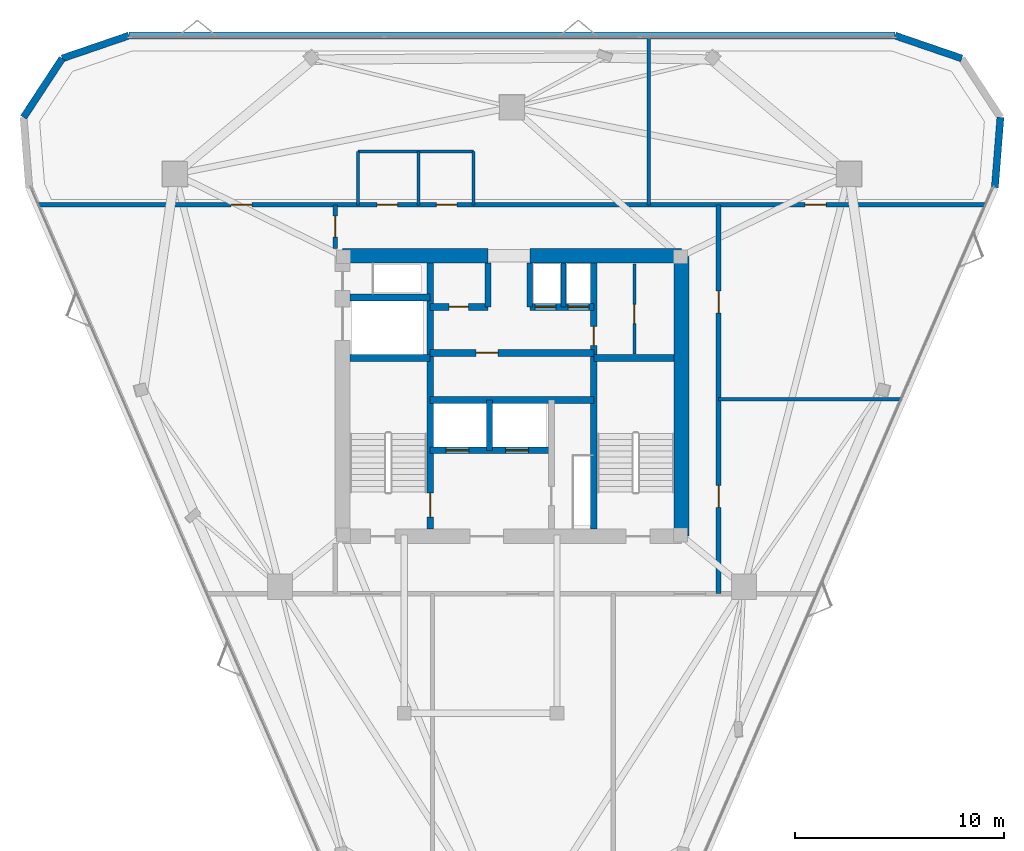
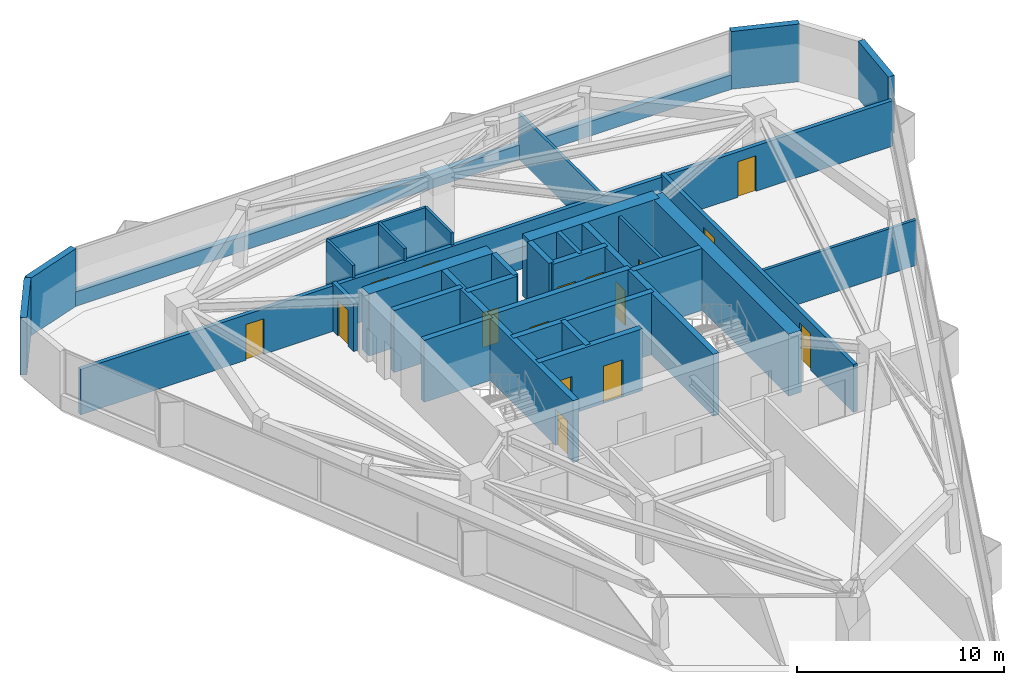
# One storey, part 9 of 12: 32 walls, 16 doors, 16 openings.
"""IFC4 building model written with IfcOpenShell, lengths in metres."""

from ifc_helpers import new_model, si_unit, direction, frame, frame_2d, origin, place, context, subcontext, project, spatial, rectangle, extrude, material, layer, layer_set, type_object, element, fill, save


model = new_model("IFC4")

# Units and contexts
model_context = context("Model", 3, precision=1e-05, world=origin(), true_north=direction((0.0, 1.0)))
body_context = subcontext(model_context, "Body", "Model", "MODEL_VIEW")
ifc_project = project(units=[si_unit("LENGTHUNIT", "METRE"), si_unit("AREAUNIT", "SQUARE_METRE"), si_unit("VOLUMEUNIT", "CUBIC_METRE"), si_unit("PLANEANGLEUNIT", "RADIAN"), si_unit("MASSUNIT", "GRAM", prefix="KILO")], contexts=[model_context])

# Site, building, storey
site_placement = place(None, origin())
site = spatial("IfcSite", under=ifc_project, at=site_placement, CompositionType="ELEMENT")
building_placement = place(site_placement, origin())
building = spatial("IfcBuilding", under=site, at=building_placement, Name="Talyreon Biosciences Tower", CompositionType="ELEMENT")
storey_placement = place(building_placement, frame((0.0, 0.0, 246.199951171875)))
storey = spatial("IfcBuildingStorey", under=building, at=storey_placement, Name="L65", CompositionType="ELEMENT", Elevation=246.199951171875)

# Walls
ifc_material_1 = material(Name="Concrete C50/60", Category="concrete")
ifc_layer_1 = layer(ifc_material_1, 0.219970703125)
ifc_layer_set_1 = layer_set([ifc_layer_1], Name="Concrete C50/60")
wall_type_1 = type_object("IfcWallType", Name="CoreShearWall_220", PredefinedType="SHEAR", material=ifc_layer_set_1)
wall_1_placement = place(storey_placement, frame((68.4599609375, 72.25, 0.0), z_axis=(0.0, 0.0, 1.0), x_axis=(0.0, 1.0, 0.0)))
element("IfcWall", 1, at=wall_1_placement, inside=storey, type_object=wall_type_1, Name="L65 Core Shaft Wall SWPHD", PredefinedType="SHEAR", context=body_context, shape_type="SweptSolid", body=[
    extrude(rectangle(XDim=2.10009765625, YDim=0.219970703125, at=frame_2d((1.050048828125, 0.0))), origin(), (0.0, 0.0, 1.0), 3.650146484375),
])
ifc_layer_2 = layer(ifc_material_1, 0.280029296875)
ifc_layer_set_2 = layer_set([ifc_layer_2], Name="Concrete C50/60")
wall_type_2 = type_object("IfcWallType", Name="CoreShearWall_280", PredefinedType="SHEAR", material=ifc_layer_set_2)
wall_2_placement = place(storey_placement, frame((64.919921875, 65.39990234375, 0.0), z_axis=(0.0, 0.0, 1.0), x_axis=(0.0, 1.0, 0.0)))
element("IfcWall", 2, at=wall_2_placement, inside=storey, type_object=wall_type_2, Name="L65 Core Shaft Wall SWSHD1", PredefinedType="SHEAR", context=body_context, shape_type="SweptSolid", body=[
    extrude(rectangle(XDim=2.400146484375, YDim=0.280029296875, at=frame_2d((1.2001953125, 0.0))), origin(), (0.0, 0.0, 1.0), 3.650146484375),
])
for number, where, z_axis, x_axis, name in (
    (3, (64.85009765625, 72.25, 0.0), (0.0, 0.0, 1.0), (0.0, 1.0, 0.0), "L65 Core Shaft Wall SWTHW"),
    (4, (66.85009765625, 72.25, 0.0), (0.0, 0.0, 1.0), (0.0, 1.0, 0.0), "L65 Core Shaft Wall SWTHE"),
):
    element("IfcWall", number, at=place(storey_placement, frame(where, z_axis=z_axis, x_axis=x_axis)), inside=storey, type_object=wall_type_2, Name=name, PredefinedType="SHEAR", context=body_context, shape_type="SweptSolid", body=[
        extrude(rectangle(XDim=2.10009765625, YDim=0.280029296875, at=frame_2d((1.050048828125, 0.0))), origin(), (0.0, 0.0, 1.0), 3.650146484375),
    ])

# Wall, opening, door
ifc_layer_3 = layer(ifc_material_1, 0.320068359375)
ifc_layer_set_3 = layer_set([ifc_layer_3], Name="Concrete C50/60")
wall_type_3 = type_object("IfcWallType", Name="CoreShearWall_320", PredefinedType="SHEAR", material=ifc_layer_set_3)
wall_3_placement = place(storey_placement, frame((62.090087890625, 61.64990234375, 0.0), z_axis=(0.0, 0.0, 1.0), x_axis=(0.0, 1.0, 0.0)))
wall_3 = element("IfcWall", 5, at=wall_3_placement, inside=storey, type_object=wall_type_3, Name="L65 Core Shaft Wall SW1E", PredefinedType="SHEAR", context=body_context, shape_type="SweptSolid", body=[
    extrude(rectangle(XDim=12.7001953125, YDim=0.320068359375, at=frame_2d((6.35009765625, 0.0))), origin(), (0.0, 0.0, 1.0), 3.650146484375),
])
opening_1_placement = place(wall_3_placement, frame((0.550048828125, 0.0, 0.0)))
opening_1 = element("IfcOpeningElement", 6, at=opening_1_placement, cuts=wall_3, Name="Opening DR-L65-FF-ST1", PredefinedType="OPENING", context=body_context, shape_type="SweptSolid", body=[
    extrude(rectangle(XDim=1.14990234375, YDim=2.14990234375, at=frame_2d((0.574951171875, 1.074951171875))), frame((0.0, 0.169921875, 0.0), z_axis=(0.0, -1.0, 0.0), x_axis=(1.0, 0.0, 0.0)), (0.0, 0.0, 1.0), 0.340087890625),
])
ifc_material_2 = material(Name="Painted steel fire door", Category="steel")
door_type_1 = type_object("IfcDoorType", Name="StairShaftFireDoor_1150x2150", OperationType="NOTDEFINED", PredefinedType="DOOR", material=ifc_material_2)
door_1_placement = place(opening_1_placement, origin())
door_1 = element("IfcDoor", 7, at=door_1_placement, inside=storey, type_object=door_type_1, Name="L65 Core Door DR-L65-FF-ST1", OperationType="SINGLE_SWING_LEFT", OverallHeight=2.14990234375, OverallWidth=1.14990234375, PredefinedType="DOOR", context=body_context, shape_type="SweptSolid", body=[
    extrude(rectangle(XDim=1.14990234375, YDim=2.14990234375, at=frame_2d((0.574951171875, 1.074951171875))), frame((0.0, 0.02490234375, 0.0), z_axis=(0.0, -1.0, 0.0), x_axis=(1.0, 0.0, 0.0)), (0.0, 0.0, 1.0), 0.050048828125),
])
fill(opening_1, door_1)

wall_4_placement = place(storey_placement, frame((69.909912109375, 61.64990234375, 0.0), z_axis=(0.0, 0.0, 1.0), x_axis=(0.0, 1.0, 0.0)))
wall_4 = element("IfcWall", 8, at=wall_4_placement, inside=storey, type_object=wall_type_3, Name="L65 Core Shaft Wall SW2W", PredefinedType="SHEAR", context=body_context, shape_type="SweptSolid", body=[
    extrude(rectangle(XDim=12.7001953125, YDim=0.320068359375, at=frame_2d((6.35009765625, 0.0))), origin(), (0.0, 0.0, 1.0), 3.650146484375),
])
opening_2_placement = place(wall_4_placement, frame((8.75, 0.0, 0.0)))
opening_2 = element("IfcOpeningElement", 9, at=opening_2_placement, cuts=wall_4, Name="Opening DR-L65-CSRV", PredefinedType="OPENING", context=body_context, shape_type="SweptSolid", body=[
    extrude(rectangle(XDim=0.919921875, YDim=2.050048828125, at=frame_2d((0.4599609375, 1.02490234375))), frame((0.0, 0.169921875, 0.0), z_axis=(0.0, -1.0, 0.0), x_axis=(1.0, 0.0, 0.0)), (0.0, 0.0, 1.0), 0.340087890625),
])
ifc_material_3 = material(Name="Painted steel fire-rated riser door", Category="steel")
door_type_2 = type_object("IfcDoorType", Name="RiserPlantAccessDoor_920x2050", OperationType="NOTDEFINED", PredefinedType="DOOR", material=ifc_material_3)
door_2_placement = place(opening_2_placement, origin())
door_2 = element("IfcDoor", 10, at=door_2_placement, inside=storey, type_object=door_type_2, Name="L65 Core Door DR-L65-CSRV", OperationType="SINGLE_SWING_RIGHT", OverallHeight=2.050048828125, OverallWidth=0.919921875, PredefinedType="DOOR", context=body_context, shape_type="SweptSolid", body=[
    extrude(rectangle(XDim=0.919921875, YDim=2.050048828125, at=frame_2d((0.4599609375, 1.02490234375))), frame((0.0, 0.02490234375, 0.0), z_axis=(0.0, -1.0, 0.0), x_axis=(1.0, 0.0, 0.0)), (0.0, 0.0, 1.0), 0.050048828125),
])
fill(opening_2, door_2)

# Walls
for number, where, z_axis, x_axis, name in (
    (11, (58.25, 69.81005859375, 0.0), (0.0, 0.0, 1.0), (1.0, 0.0, 0.0), "L65 Core Shaft Wall SW1N"),
    (12, (69.909912109375, 69.81005859375, 0.0), (0.0, 0.0, 1.0), (1.0, 0.0, 0.0), "L65 Core Shaft Wall SW2N"),
    (13, (58.25, 72.699951171875, 0.0), (0.0, 0.0, 1.0), (1.0, 0.0, 0.0), "L65 Core Shaft Wall SWGLN"),
):
    element("IfcWall", number, at=place(storey_placement, frame(where, z_axis=z_axis, x_axis=x_axis)), inside=storey, type_object=wall_type_3, Name=name, PredefinedType="SHEAR", context=body_context, shape_type="SweptSolid", body=[
        extrude(rectangle(XDim=3.840087890625, YDim=0.320068359375, at=frame_2d((1.919921875, 0.0))), origin(), (0.0, 0.0, 1.0), 3.650146484375),
    ])
wall_5_placement = place(storey_placement, frame((62.090087890625, 67.800048828125, 0.0), z_axis=(0.0, 0.0, 1.0), x_axis=(1.0, 0.0, 0.0)))
element("IfcWall", 14, at=wall_5_placement, inside=storey, type_object=wall_type_3, Name="L65 Core Shaft Wall SWSHM", PredefinedType="SHEAR", context=body_context, shape_type="SweptSolid", body=[
    extrude(rectangle(XDim=7.81982421875, YDim=0.320068359375, at=frame_2d((3.909912109375, 0.0))), origin(), (0.0, 0.0, 1.0), 3.650146484375),
])

# Wall, opening, door
wall_6_placement = place(storey_placement, frame((62.090087890625, 70.050048828125, 0.0), z_axis=(0.0, 0.0, 1.0), x_axis=(1.0, 0.0, 0.0)))
wall_6 = element("IfcWall", 15, at=wall_6_placement, inside=storey, type_object=wall_type_3, Name="L65 Core Shaft Wall SWSPN", PredefinedType="SHEAR", context=body_context, shape_type="SweptSolid", body=[
    extrude(rectangle(XDim=7.81982421875, YDim=0.320068359375, at=frame_2d((3.909912109375, 0.0))), origin(), (0.0, 0.0, 1.0), 3.650146484375),
])
opening_3_placement = place(wall_6_placement, frame((2.199951171875, 0.0, 0.0)))
opening_3 = element("IfcOpeningElement", 16, at=opening_3_placement, cuts=wall_6, Name="Opening DR-L65-PLPMFREE", PredefinedType="OPENING", context=body_context, shape_type="SweptSolid", body=[
    extrude(rectangle(XDim=1.050048828125, YDim=2.14990234375, at=frame_2d((0.52490234375, 1.074951171875))), frame((0.0, 0.169921875, 0.0), z_axis=(0.0, -1.0, 0.0), x_axis=(1.0, 0.0, 0.0)), (0.0, 0.0, 1.0), 0.340087890625),
])
ifc_material_4 = material(Name="Acoustic timber-core laboratory door", Category="wood")
door_type_3 = type_object("IfcDoorType", Name="DryLabSingleDoor_1050x2150", OperationType="NOTDEFINED", PredefinedType="DOOR", material=ifc_material_4)
door_3_placement = place(opening_3_placement, origin())
door_3 = element("IfcDoor", 17, at=door_3_placement, inside=storey, type_object=door_type_3, Name="L65 Core Door DR-L65-PLPMFREE", OperationType="SINGLE_SWING_LEFT", OverallHeight=2.14990234375, OverallWidth=1.050048828125, PredefinedType="DOOR", context=body_context, shape_type="SweptSolid", body=[
    extrude(rectangle(XDim=1.050048828125, YDim=2.14990234375, at=frame_2d((0.52490234375, 1.074951171875))), frame((0.0, 0.02490234375, 0.0), z_axis=(0.0, -1.0, 0.0), x_axis=(1.0, 0.0, 0.0)), (0.0, 0.0, 1.0), 0.050048828125),
])
fill(opening_3, door_3)

wall_7_placement = place(storey_placement, frame((62.090087890625, 72.25, 0.0), z_axis=(0.0, 0.0, 1.0), x_axis=(1.0, 0.0, 0.0)))
wall_7 = element("IfcWall", 18, at=wall_7_placement, inside=storey, type_object=wall_type_3, Name="L65 Core Shaft Wall SWNPW", PredefinedType="SHEAR", context=body_context, shape_type="SweptSolid", body=[
    extrude(rectangle(XDim=2.760009765625, YDim=0.320068359375, at=frame_2d((1.3798828125, 0.0))), origin(), (0.0, 0.0, 1.0), 3.650146484375),
])
opening_4_placement = place(wall_7_placement, frame((0.89990234375, 0.0, 0.0)))
opening_4 = element("IfcOpeningElement", 19, at=opening_4_placement, cuts=wall_7, Name="Opening DR-L65-PM2FREE", PredefinedType="OPENING", context=body_context, shape_type="SweptSolid", body=[
    extrude(rectangle(XDim=0.919921875, YDim=2.050048828125, at=frame_2d((0.4599609375, 1.02490234375))), frame((0.0, 0.169921875, 0.0), z_axis=(0.0, -1.0, 0.0), x_axis=(1.0, 0.0, 0.0)), (0.0, 0.0, 1.0), 0.340087890625),
])
door_4_placement = place(opening_4_placement, origin())
door_4 = element("IfcDoor", 20, at=door_4_placement, inside=storey, type_object=door_type_2, Name="L65 Core Door DR-L65-PM2FREE", OperationType="SINGLE_SWING_RIGHT", OverallHeight=2.050048828125, OverallWidth=0.919921875, PredefinedType="DOOR", context=body_context, shape_type="SweptSolid", body=[
    extrude(rectangle(XDim=0.919921875, YDim=2.050048828125, at=frame_2d((0.4599609375, 1.02490234375))), frame((0.0, 0.02490234375, 0.0), z_axis=(0.0, -1.0, 0.0), x_axis=(1.0, 0.0, 0.0)), (0.0, 0.0, 1.0), 0.050048828125),
])
fill(opening_4, door_4)

# Wall, openings, doors
wall_8_placement = place(storey_placement, frame((66.85009765625, 72.25, 0.0), z_axis=(0.0, 0.0, 1.0), x_axis=(1.0, 0.0, 0.0)))
wall_8 = element("IfcWall", 21, at=wall_8_placement, inside=storey, type_object=wall_type_3, Name="L65 Core Shaft Wall SWNPE", PredefinedType="SHEAR", context=body_context, shape_type="SweptSolid", body=[
    extrude(rectangle(XDim=3.059814453125, YDim=0.320068359375, at=frame_2d((1.52978515625, 0.0))), origin(), (0.0, 0.0, 1.0), 3.650146484375),
])
opening_5_placement = place(wall_8_placement, frame((0.25, 0.0, 0.0)))
opening_5 = element("IfcOpeningElement", 22, at=opening_5_placement, cuts=wall_8, Name="Opening LD-L65-PH1", PredefinedType="OPENING", context=body_context, shape_type="SweptSolid", body=[
    extrude(rectangle(XDim=1.0, YDim=2.199951171875, at=frame_2d((0.5, 1.10009765625))), frame((0.0, 0.169921875, 0.0), z_axis=(0.0, -1.0, 0.0), x_axis=(1.0, 0.0, 0.0)), (0.0, 0.0, 1.0), 0.340087890625),
])
opening_6_placement = place(wall_8_placement, frame((1.820068359375, 0.0, 0.0)))
opening_6 = element("IfcOpeningElement", 23, at=opening_6_placement, cuts=wall_8, Name="Opening LD-L65-PH2", PredefinedType="OPENING", context=body_context, shape_type="SweptSolid", body=[
    extrude(rectangle(XDim=1.0, YDim=2.199951171875, at=frame_2d((0.5, 1.10009765625))), frame((0.0, 0.169921875, 0.0), z_axis=(0.0, -1.0, 0.0), x_axis=(1.0, 0.0, 0.0)), (0.0, 0.0, 1.0), 0.340087890625),
])
ifc_material_5 = material(Name="Brushed stainless-steel lift landing door", Category="steel")
door_type_4 = type_object("IfcDoorType", Name="LiftSlidingLandingDoor_1100x2200", OperationType="SLIDING_TO_LEFT", PredefinedType="DOOR", material=ifc_material_5)
door_5_placement = place(opening_5_placement, origin())
door_5 = element("IfcDoor", 24, at=door_5_placement, inside=storey, type_object=door_type_4, Name="L65 Core Door LD-L65-PH1", OperationType="SLIDING_TO_LEFT", OverallHeight=2.199951171875, OverallWidth=1.0, PredefinedType="DOOR", context=body_context, shape_type="SweptSolid", body=[
    extrude(rectangle(XDim=1.0, YDim=2.199951171875, at=frame_2d((0.5, 1.10009765625))), frame((0.0, 0.02490234375, 0.0), z_axis=(0.0, -1.0, 0.0), x_axis=(1.0, 0.0, 0.0)), (0.0, 0.0, 1.0), 0.050048828125),
])
fill(opening_5, door_5)
door_6_placement = place(opening_6_placement, origin())
door_6 = element("IfcDoor", 25, at=door_6_placement, inside=storey, type_object=door_type_4, Name="L65 Core Door LD-L65-PH2", OperationType="SLIDING_TO_LEFT", OverallHeight=2.199951171875, OverallWidth=1.0, PredefinedType="DOOR", context=body_context, shape_type="SweptSolid", body=[
    extrude(rectangle(XDim=1.0, YDim=2.199951171875, at=frame_2d((0.5, 1.10009765625))), frame((0.0, 0.02490234375, 0.0), z_axis=(0.0, -1.0, 0.0), x_axis=(1.0, 0.0, 0.0)), (0.0, 0.0, 1.0), 0.050048828125),
])
fill(opening_6, door_6)

wall_9_placement = place(storey_placement, frame((62.090087890625, 65.39990234375, 0.0), z_axis=(0.0, 0.0, 1.0), x_axis=(1.0, 0.0, 0.0)))
wall_9 = element("IfcWall", 26, at=wall_9_placement, inside=storey, type_object=wall_type_3, Name="L65 Core Shaft Wall SWFFN", PredefinedType="SHEAR", context=body_context, shape_type="SweptSolid", body=[
    extrude(rectangle(XDim=5.789794921875, YDim=0.320068359375, at=frame_2d((2.89501953125, 0.0))), origin(), (0.0, 0.0, 1.0), 3.650146484375),
])
opening_7_placement = place(wall_9_placement, frame((0.75, 0.0, 0.0)))
opening_7 = element("IfcOpeningElement", 27, at=opening_7_placement, cuts=wall_9, Name="Opening LD-L65-FL1", PredefinedType="OPENING", context=body_context, shape_type="SweptSolid", body=[
    extrude(rectangle(XDim=1.10009765625, YDim=2.199951171875, at=frame_2d((0.550048828125, 1.10009765625))), frame((0.0, 0.169921875, 0.0), z_axis=(0.0, -1.0, 0.0), x_axis=(1.0, 0.0, 0.0)), (0.0, 0.0, 1.0), 0.340087890625),
])
opening_8_placement = place(wall_9_placement, frame((3.60009765625, 0.0, 0.0)))
opening_8 = element("IfcOpeningElement", 28, at=opening_8_placement, cuts=wall_9, Name="Opening LD-L65-FL2", PredefinedType="OPENING", context=body_context, shape_type="SweptSolid", body=[
    extrude(rectangle(XDim=1.10009765625, YDim=2.199951171875, at=frame_2d((0.550048828125, 1.10009765625))), frame((0.0, 0.169921875, 0.0), z_axis=(0.0, -1.0, 0.0), x_axis=(1.0, 0.0, 0.0)), (0.0, 0.0, 1.0), 0.340087890625),
])
door_7_placement = place(opening_7_placement, origin())
door_7 = element("IfcDoor", 29, at=door_7_placement, inside=storey, type_object=door_type_4, Name="L65 Core Door LD-L65-FL1", OperationType="SLIDING_TO_LEFT", OverallHeight=2.199951171875, OverallWidth=1.10009765625, PredefinedType="DOOR", context=body_context, shape_type="SweptSolid", body=[
    extrude(rectangle(XDim=1.10009765625, YDim=2.199951171875, at=frame_2d((0.550048828125, 1.10009765625))), frame((0.0, 0.02490234375, 0.0), z_axis=(0.0, -1.0, 0.0), x_axis=(1.0, 0.0, 0.0)), (0.0, 0.0, 1.0), 0.050048828125),
])
fill(opening_7, door_7)
door_8_placement = place(opening_8_placement, origin())
door_8 = element("IfcDoor", 30, at=door_8_placement, inside=storey, type_object=door_type_4, Name="L65 Core Door LD-L65-FL2", OperationType="SLIDING_TO_LEFT", OverallHeight=2.199951171875, OverallWidth=1.10009765625, PredefinedType="DOOR", context=body_context, shape_type="SweptSolid", body=[
    extrude(rectangle(XDim=1.10009765625, YDim=2.199951171875, at=frame_2d((0.550048828125, 1.10009765625))), frame((0.0, 0.02490234375, 0.0), z_axis=(0.0, -1.0, 0.0), x_axis=(1.0, 0.0, 0.0)), (0.0, 0.0, 1.0), 0.050048828125),
])
fill(opening_8, door_8)

# Walls
ifc_layer_4 = layer(ifc_material_1, 0.699951171875)
ifc_layer_set_4 = layer_set([ifc_layer_4], Name="Concrete C50/60")
wall_type_4 = type_object("IfcWallType", Name="CoreShearWall_700", PredefinedType="SHEAR", material=ifc_layer_set_4)
wall_10_placement = place(storey_placement, frame((74.10009765625, 61.300048828125, 0.0), z_axis=(0.0, 0.0, 1.0), x_axis=(0.0, 1.0, 0.0)))
element("IfcWall", 31, at=wall_10_placement, inside=storey, type_object=wall_type_4, Name="L65 Core Shear Wall E", PredefinedType="SHEAR", context=body_context, shape_type="SweptSolid", body=[
    extrude(rectangle(XDim=13.39990234375, YDim=0.699951171875, at=frame_2d((6.699951171875, 0.0))), origin(), (0.0, 0.0, 1.0), 3.650146484375),
])
wall_11_placement = place(storey_placement, frame((74.10009765625, 74.699951171875, 0.0), z_axis=(0.0, 0.0, 1.0), x_axis=(-1.0, 0.0, 0.0)))
element("IfcWall", 32, at=wall_11_placement, inside=storey, type_object=wall_type_4, Name="L65 Core Shear Wall NE", PredefinedType="SHEAR", context=body_context, shape_type="SweptSolid", body=[
    extrude(rectangle(XDim=7.25, YDim=0.699951171875, at=frame_2d((3.625, 0.0))), origin(), (0.0, 0.0, 1.0), 3.650146484375),
])
wall_12_placement = place(storey_placement, frame((64.85009765625, 74.699951171875, 0.0), z_axis=(0.0, 0.0, 1.0), x_axis=(-1.0, 0.0, 0.0)))
element("IfcWall", 33, at=wall_12_placement, inside=storey, type_object=wall_type_4, Name="L65 Core Shear Wall NW", PredefinedType="SHEAR", context=body_context, shape_type="SweptSolid", body=[
    extrude(rectangle(XDim=6.9501953125, YDim=0.699951171875, at=frame_2d((3.47509765625, 0.0))), origin(), (0.0, 0.0, 1.0), 3.650146484375),
])

# Wall, openings, doors
ifc_material_6 = material(Name="Gypsum fireboard acoustic stud", Category="gypsum")
ifc_layer_5 = layer(ifc_material_6, 0.219970703125)
ifc_layer_set_5 = layer_set([ifc_layer_5], Name="Gypsum fireboard acoustic stud")
wall_type_5 = type_object("IfcWallType", Name="CorridorRatedPartition_220", PredefinedType="PARTITIONING", material=ifc_layer_set_5)
wall_13_placement = place(storey_placement, frame((43.372802734375, 77.1298828125, 0.0), z_axis=(0.0, 0.0, 1.0), x_axis=(1.0, 0.0, 0.0)))
wall_13 = element("IfcWall", 34, at=wall_13_placement, inside=storey, type_object=wall_type_5, Name="L65 Interior Wall IW-L65-COR-N", PredefinedType="PARTITIONING", context=body_context, shape_type="SweptSolid", body=[
    extrude(rectangle(XDim=45.25439453125, YDim=0.219970703125, at=frame_2d((22.627197265625, 0.0))), origin(), (0.0, 0.0, 1.0), 2.679931640625),
])
opening_9_placement = place(wall_13_placement, frame((16.18701171875, 0.0, 0.0)))
opening_9 = element("IfcOpeningElement", 35, at=opening_9_placement, cuts=wall_13, Name="Opening DR-L65-WC", PredefinedType="OPENING", context=body_context, shape_type="SweptSolid", body=[
    extrude(rectangle(XDim=0.97998046875, YDim=2.10009765625, at=frame_2d((0.489990234375, 1.050048828125))), frame((0.0, 0.119873046875, 0.0), z_axis=(0.0, -1.0, 0.0), x_axis=(1.0, 0.0, 0.0)), (0.0, 0.0, 1.0), 0.239990234375),
])
opening_10_placement = place(wall_13_placement, frame((19.011962890625, 0.0, 0.0)))
opening_10 = element("IfcOpeningElement", 36, at=opening_10_placement, cuts=wall_13, Name="Opening DR-L65-AWC", PredefinedType="OPENING", context=body_context, shape_type="SweptSolid", body=[
    extrude(rectangle(XDim=0.97998046875, YDim=2.10009765625, at=frame_2d((0.489990234375, 1.050048828125))), frame((0.0, 0.119873046875, 0.0), z_axis=(0.0, -1.0, 0.0), x_axis=(1.0, 0.0, 0.0)), (0.0, 0.0, 1.0), 0.239990234375),
])
opening_11_placement = place(wall_13_placement, frame((9.199951171875, 0.0, 0.0)))
opening_11 = element("IfcOpeningElement", 37, at=opening_11_placement, cuts=wall_13, Name="Opening DR-L65-N1A", PredefinedType="OPENING", context=body_context, shape_type="SweptSolid", body=[
    extrude(rectangle(XDim=1.0, YDim=2.10009765625, at=frame_2d((0.5, 1.050048828125))), frame((0.0, 0.119873046875, 0.0), z_axis=(0.0, -1.0, 0.0), x_axis=(1.0, 0.0, 0.0)), (0.0, 0.0, 1.0), 0.239990234375),
])
opening_12_placement = place(wall_13_placement, frame((36.632080078125, 0.0, 0.0)))
opening_12 = element("IfcOpeningElement", 38, at=opening_12_placement, cuts=wall_13, Name="Opening DR-L65-N2A", PredefinedType="OPENING", context=body_context, shape_type="SweptSolid", body=[
    extrude(rectangle(XDim=1.0, YDim=2.10009765625, at=frame_2d((0.5, 1.050048828125))), frame((0.0, 0.119873046875, 0.0), z_axis=(0.0, -1.0, 0.0), x_axis=(1.0, 0.0, 0.0)), (0.0, 0.0, 1.0), 0.239990234375),
])
ifc_material_7 = material(Name="Laminate moisture-resistant door", Category="wood")
door_type_5 = type_object("IfcDoorType", Name="AccessibleToiletDoor_980x2100", OperationType="NOTDEFINED", PredefinedType="DOOR", material=ifc_material_7)
door_9_placement = place(opening_9_placement, origin())
door_9 = element("IfcDoor", 39, at=door_9_placement, inside=storey, type_object=door_type_5, Name="L65 Interior Door DR-L65-WC", OperationType="SINGLE_SWING_RIGHT", OverallHeight=2.10009765625, OverallWidth=0.97998046875, PredefinedType="DOOR", context=body_context, shape_type="SweptSolid", body=[
    extrude(rectangle(XDim=0.97998046875, YDim=2.10009765625, at=frame_2d((0.489990234375, 1.050048828125))), frame((0.0, 0.02490234375, 0.0), z_axis=(0.0, -1.0, 0.0), x_axis=(1.0, 0.0, 0.0)), (0.0, 0.0, 1.0), 0.050048828125),
])
fill(opening_9, door_9)
door_10_placement = place(opening_10_placement, origin())
door_10 = element("IfcDoor", 40, at=door_10_placement, inside=storey, type_object=door_type_5, Name="L65 Interior Door DR-L65-AWC", OperationType="SINGLE_SWING_RIGHT", OverallHeight=2.10009765625, OverallWidth=0.97998046875, PredefinedType="DOOR", context=body_context, shape_type="SweptSolid", body=[
    extrude(rectangle(XDim=0.97998046875, YDim=2.10009765625, at=frame_2d((0.489990234375, 1.050048828125))), frame((0.0, 0.02490234375, 0.0), z_axis=(0.0, -1.0, 0.0), x_axis=(1.0, 0.0, 0.0)), (0.0, 0.0, 1.0), 0.050048828125),
])
fill(opening_10, door_10)
ifc_material_8 = material(Name="Acoustic oak veneer office door", Category="wood")
door_type_6 = type_object("IfcDoorType", Name="WriteupOfficeDoor_1000x2100", OperationType="NOTDEFINED", PredefinedType="DOOR", material=ifc_material_8)
door_11_placement = place(opening_11_placement, origin())
door_11 = element("IfcDoor", 41, at=door_11_placement, inside=storey, type_object=door_type_6, Name="L65 Interior Door DR-L65-N1A", OperationType="SINGLE_SWING_LEFT", OverallHeight=2.10009765625, OverallWidth=1.0, PredefinedType="DOOR", context=body_context, shape_type="SweptSolid", body=[
    extrude(rectangle(XDim=1.0, YDim=2.10009765625, at=frame_2d((0.5, 1.050048828125))), frame((0.0, 0.02490234375, 0.0), z_axis=(0.0, -1.0, 0.0), x_axis=(1.0, 0.0, 0.0)), (0.0, 0.0, 1.0), 0.050048828125),
])
fill(opening_11, door_11)
door_12_placement = place(opening_12_placement, origin())
door_12 = element("IfcDoor", 42, at=door_12_placement, inside=storey, type_object=door_type_6, Name="L65 Interior Door DR-L65-N2A", OperationType="SINGLE_SWING_LEFT", OverallHeight=2.10009765625, OverallWidth=1.0, PredefinedType="DOOR", context=body_context, shape_type="SweptSolid", body=[
    extrude(rectangle(XDim=1.0, YDim=2.10009765625, at=frame_2d((0.5, 1.050048828125))), frame((0.0, 0.02490234375, 0.0), z_axis=(0.0, -1.0, 0.0), x_axis=(1.0, 0.0, 0.0)), (0.0, 0.0, 1.0), 0.050048828125),
])
fill(opening_12, door_12)

# Wall, opening, door
wall_14_placement = place(storey_placement, frame((57.550048828125, 75.050048828125, 0.0), z_axis=(0.0, 0.0, 1.0), x_axis=(0.0, 1.0, 0.0)))
wall_14 = element("IfcWall", 43, at=wall_14_placement, inside=storey, type_object=wall_type_5, Name="L65 Interior Wall IW-L65-WCAP-N", PredefinedType="PARTITIONING", context=body_context, shape_type="SweptSolid", body=[
    extrude(rectangle(XDim=2.079833984375, YDim=0.219970703125, at=frame_2d((1.0400390625, 0.0))), origin(), (0.0, 0.0, 1.0), 2.830078125),
])
opening_13_placement = place(wall_14_placement, frame((0.5400390625, 0.0, 0.0)))
opening_13 = element("IfcOpeningElement", 44, at=opening_13_placement, cuts=wall_14, Name="Opening DR-L65-W1A", PredefinedType="OPENING", context=body_context, shape_type="SweptSolid", body=[
    extrude(rectangle(XDim=1.0, YDim=2.10009765625, at=frame_2d((0.5, 1.050048828125))), frame((0.0, 0.119873046875, 0.0), z_axis=(0.0, -1.0, 0.0), x_axis=(1.0, 0.0, 0.0)), (0.0, 0.0, 1.0), 0.239990234375),
])
door_13_placement = place(opening_13_placement, origin())
door_13 = element("IfcDoor", 45, at=door_13_placement, inside=storey, type_object=door_type_6, Name="L65 Interior Door DR-L65-W1A", OperationType="SINGLE_SWING_LEFT", OverallHeight=2.10009765625, OverallWidth=1.0, PredefinedType="DOOR", context=body_context, shape_type="SweptSolid", body=[
    extrude(rectangle(XDim=1.0, YDim=2.10009765625, at=frame_2d((0.5, 1.050048828125))), frame((0.0, 0.02490234375, 0.0), z_axis=(0.0, -1.0, 0.0), x_axis=(1.0, 0.0, 0.0)), (0.0, 0.0, 1.0), 0.050048828125),
])
fill(opening_13, door_13)

# Wall, openings, doors
wall_15_placement = place(storey_placement, frame((75.8701171875, 58.550048828125, 0.0), z_axis=(0.0, 0.0, 1.0), x_axis=(0.0, 1.0, 0.0)))
wall_15 = element("IfcWall", 46, at=wall_15_placement, inside=storey, type_object=wall_type_5, Name="L65 Interior Wall IW-L65-COR-E", PredefinedType="PARTITIONING", context=body_context, shape_type="SweptSolid", body=[
    extrude(rectangle(XDim=18.579833984375, YDim=0.219970703125, at=frame_2d((9.2900390625, 0.0))), origin(), (0.0, 0.0, 1.0), 2.830078125),
])
opening_14_placement = place(wall_15_placement, frame((4.1201171875, 0.0, 0.0)))
opening_14 = element("IfcOpeningElement", 47, at=opening_14_placement, cuts=wall_15, Name="Opening DR-L65-E1A", PredefinedType="OPENING", context=body_context, shape_type="SweptSolid", body=[
    extrude(rectangle(XDim=1.050048828125, YDim=2.14990234375, at=frame_2d((0.52490234375, 1.074951171875))), frame((0.0, 0.119873046875, 0.0), z_axis=(0.0, -1.0, 0.0), x_axis=(1.0, 0.0, 0.0)), (0.0, 0.0, 1.0), 0.239990234375),
])
opening_15_placement = place(wall_15_placement, frame((13.409912109375, 0.0, 0.0)))
opening_15 = element("IfcOpeningElement", 48, at=opening_15_placement, cuts=wall_15, Name="Opening DR-L65-E2A", PredefinedType="OPENING", context=body_context, shape_type="SweptSolid", body=[
    extrude(rectangle(XDim=1.050048828125, YDim=2.14990234375, at=frame_2d((0.52490234375, 1.074951171875))), frame((0.0, 0.119873046875, 0.0), z_axis=(0.0, -1.0, 0.0), x_axis=(1.0, 0.0, 0.0)), (0.0, 0.0, 1.0), 0.239990234375),
])
door_14_placement = place(opening_14_placement, origin())
door_14 = element("IfcDoor", 49, at=door_14_placement, inside=storey, type_object=door_type_3, Name="L65 Interior Door DR-L65-E1A", OperationType="SINGLE_SWING_LEFT", OverallHeight=2.14990234375, OverallWidth=1.050048828125, PredefinedType="DOOR", context=body_context, shape_type="SweptSolid", body=[
    extrude(rectangle(XDim=1.050048828125, YDim=2.14990234375, at=frame_2d((0.52490234375, 1.074951171875))), frame((0.0, 0.02490234375, 0.0), z_axis=(0.0, -1.0, 0.0), x_axis=(1.0, 0.0, 0.0)), (0.0, 0.0, 1.0), 0.050048828125),
])
fill(opening_14, door_14)
door_15_placement = place(opening_15_placement, origin())
door_15 = element("IfcDoor", 50, at=door_15_placement, inside=storey, type_object=door_type_3, Name="L65 Interior Door DR-L65-E2A", OperationType="SINGLE_SWING_RIGHT", OverallHeight=2.14990234375, OverallWidth=1.050048828125, PredefinedType="DOOR", context=body_context, shape_type="SweptSolid", body=[
    extrude(rectangle(XDim=1.050048828125, YDim=2.14990234375, at=frame_2d((0.52490234375, 1.074951171875))), frame((0.0, 0.02490234375, 0.0), z_axis=(0.0, -1.0, 0.0), x_axis=(1.0, 0.0, 0.0)), (0.0, 0.0, 1.0), 0.050048828125),
])
fill(opening_15, door_15)

# Wall, opening, door
ifc_material_9 = material(Name="Gypsum acoustic stud partition", Category="gypsum")
ifc_layer_6 = layer(ifc_material_9, 0.159912109375)
ifc_layer_set_6 = layer_set([ifc_layer_6], Name="Gypsum acoustic stud partition")
wall_type_6 = type_object("IfcWallType", Name="LabSeparationPartition_160", PredefinedType="PARTITIONING", material=ifc_layer_set_6)
wall_16_placement = place(storey_placement, frame((71.85009765625, 70.0, 0.0), z_axis=(0.0, 0.0, 1.0), x_axis=(0.0, 1.0, 0.0)))
wall_16 = element("IfcWall", 51, at=wall_16_placement, inside=storey, type_object=wall_type_6, Name="L65 Interior Wall IW-L65-CSRV-V", PredefinedType="PARTITIONING", context=body_context, shape_type="SweptSolid", body=[
    extrude(rectangle(XDim=4.300048828125, YDim=0.159912109375, at=frame_2d((2.14990234375, 0.0))), origin(), (0.0, 0.0, 1.0), 3.400146484375),
])
opening_16_placement = place(wall_16_placement, frame((1.449951171875, 0.0, 0.0)))
opening_16 = element("IfcOpeningElement", 52, at=opening_16_placement, cuts=wall_16, Name="Opening DR-L65-CSRV-I", PredefinedType="OPENING", context=body_context, shape_type="SweptSolid", body=[
    extrude(rectangle(XDim=0.919921875, YDim=2.050048828125, at=frame_2d((0.4599609375, 1.02490234375))), frame((0.0, 0.08984375, 0.0), z_axis=(0.0, -1.0, 0.0), x_axis=(1.0, 0.0, 0.0)), (0.0, 0.0, 1.0), 0.179931640625),
])
door_16_placement = place(opening_16_placement, origin())
door_16 = element("IfcDoor", 53, at=door_16_placement, inside=storey, type_object=door_type_2, Name="L65 Interior Door DR-L65-CSRV-I", OperationType="SINGLE_SWING_RIGHT", OverallHeight=2.050048828125, OverallWidth=0.919921875, PredefinedType="DOOR", context=body_context, shape_type="SweptSolid", body=[
    extrude(rectangle(XDim=0.919921875, YDim=2.050048828125, at=frame_2d((0.4599609375, 1.02490234375))), frame((0.0, 0.02490234375, 0.0), z_axis=(0.0, -1.0, 0.0), x_axis=(1.0, 0.0, 0.0)), (0.0, 0.0, 1.0), 0.050048828125),
])
fill(opening_16, door_16)

# Walls
wall_17_placement = place(storey_placement, frame((72.531982421875, 77.1298828125, 0.0), z_axis=(0.0, 0.0, 1.0), x_axis=(0.0, 1.0, 0.0)))
element("IfcWall", 54, at=wall_17_placement, inside=storey, type_object=wall_type_6, Name="L65 Interior Wall IW-L65-NDIV1", PredefinedType="PARTITIONING", context=body_context, shape_type="SweptSolid", body=[
    extrude(rectangle(XDim=8.0029296875, YDim=0.159912109375, at=frame_2d((4.00146484375, 0.0))), origin(), (0.0, 0.0, 1.0), 2.679931640625),
])
wall_18_placement = place(storey_placement, frame((75.8701171875, 67.840087890625, 0.0), z_axis=(0.0, 0.0, 1.0), x_axis=(1.0, 0.0, 0.0)))
element("IfcWall", 55, at=wall_18_placement, inside=storey, type_object=wall_type_6, Name="L65 Interior Wall IW-L65-EDIV1", PredefinedType="PARTITIONING", context=body_context, shape_type="SweptSolid", body=[
    extrude(rectangle(XDim=8.732177734375, YDim=0.159912109375, at=frame_2d((4.3662109375, 0.0))), origin(), (0.0, 0.0, 1.0), 2.679931640625),
])
ifc_material_10 = material(Name="Precast concrete C45/55", Category="concrete")
ifc_layer_7 = layer(ifc_material_10, 0.340087890625)
ifc_layer_set_7 = layer_set([ifc_layer_7], Name="Precast concrete C45/55")
wall_type_7 = type_object("IfcWallType", Name="PrecastConcreteSpandrelWall_340", PredefinedType="STANDARD", material=ifc_layer_set_7)
wall_19_placement = place(storey_placement, frame((42.6591796875, 81.3095703125, 0.0), z_axis=(0.0, 0.0, 1.0), x_axis=(0.548851092281, 0.835920138831, 0.0)))
element("IfcWall", 56, at=wall_19_placement, inside=storey, type_object=wall_type_7, Name="L65 Rounded-Corner Concrete Pier 02", PredefinedType="STANDARD", context=body_context, shape_type="SweptSolid", body=[
    extrude(rectangle(XDim=3.36962890625, YDim=0.340087890625, at=frame_2d((1.684814453125, 0.0))), origin(), (0.0, 0.0, 1.0), 3.400146484375),
])
wall_20_placement = place(storey_placement, frame((44.508544921875, 84.126220703125, 0.0), z_axis=(0.0, 0.0, 1.0), x_axis=(0.946072263845, 0.323955662989, 0.0)))
element("IfcWall", 57, at=wall_20_placement, inside=storey, type_object=wall_type_7, Name="L65 Rounded-Corner Concrete Pier 03", PredefinedType="STANDARD", context=body_context, shape_type="SweptSolid", body=[
    extrude(rectangle(XDim=3.369384765625, YDim=0.340087890625, at=frame_2d((1.6845703125, 0.0))), origin(), (0.0, 0.0, 1.0), 3.400146484375),
])
wall_21_placement = place(storey_placement, frame((47.6962890625, 85.2177734375, 0.0), z_axis=(0.0, 0.0, 1.0), x_axis=(1.0, 0.0, 0.0)))
element("IfcWall", 58, at=wall_21_placement, inside=storey, type_object=wall_type_7, Name="L65 Expressed Concrete Sill Wall 04", PredefinedType="STANDARD", context=body_context, shape_type="SweptSolid", body=[
    extrude(rectangle(XDim=36.607421875, YDim=0.340087890625, at=frame_2d((18.3037109375, 0.0))), origin(), (0.0, 0.0, 1.0), 0.85009765625),
])
for number, where, z_axis, x_axis, name in (
    (59, (84.3037109375, 85.2177734375, 0.0), (0.0, 0.0, 1.0), (0.946072263845, -0.323955662989, 0.0), "L65 Rounded-Corner Concrete Pier 05"),
    (60, (89.3408203125, 81.3095703125, 0.0), (0.0, 0.0, 1.0), (-0.078835134627, -0.996887667467, 0.0), "L65 Rounded-Corner Concrete Pier 07"),
):
    element("IfcWall", number, at=place(storey_placement, frame(where, z_axis=z_axis, x_axis=x_axis)), inside=storey, type_object=wall_type_7, Name=name, PredefinedType="STANDARD", context=body_context, shape_type="SweptSolid", body=[
        extrude(rectangle(XDim=3.369384765625, YDim=0.340087890625, at=frame_2d((1.6845703125, 0.0))), origin(), (0.0, 0.0, 1.0), 3.400146484375),
    ])
ifc_material_11 = material(Name="Moisture-resistant cement-board stud", Category="gypsum")
ifc_layer_8 = layer(ifc_material_11, 0.14501953125)
ifc_layer_set_8 = layer_set([ifc_layer_8], Name="Moisture-resistant cement-board stud")
wall_type_8 = type_object("IfcWallType", Name="WetRoomPartition_145", PredefinedType="PARTITIONING", material=ifc_layer_set_8)
for number, where, z_axis, x_axis, name in (
    (61, (58.64990234375, 77.1298828125, 0.0), (0.0, 0.0, 1.0), (0.0, 1.0, 0.0), "L65 Interior Wall IW-L65-WCL"),
    (62, (61.52490234375, 77.1298828125, 0.0), (0.0, 0.0, 1.0), (0.0, 1.0, 0.0), "L65 Interior Wall IW-L65-WCM"),
    (63, (64.14990234375, 77.1298828125, 0.0), (0.0, 0.0, 1.0), (0.0, 1.0, 0.0), "L65 Interior Wall IW-L65-WCR"),
):
    element("IfcWall", number, at=place(storey_placement, frame(where, z_axis=z_axis, x_axis=x_axis)), inside=storey, type_object=wall_type_8, Name=name, PredefinedType="PARTITIONING", context=body_context, shape_type="SweptSolid", body=[
        extrude(rectangle(XDim=2.550048828125, YDim=0.14501953125, at=frame_2d((1.27490234375, 0.0))), origin(), (0.0, 0.0, 1.0), 3.400146484375),
    ])
wall_22_placement = place(storey_placement, frame((58.64990234375, 79.679931640625, 0.0), z_axis=(0.0, 0.0, 1.0), x_axis=(1.0, 0.0, 0.0)))
element("IfcWall", 64, at=wall_22_placement, inside=storey, type_object=wall_type_8, Name="L65 Interior Wall IW-L65-WCT", PredefinedType="PARTITIONING", context=body_context, shape_type="SweptSolid", body=[
    extrude(rectangle(XDim=5.5, YDim=0.14501953125, at=frame_2d((2.75, 0.0))), origin(), (0.0, 0.0, 1.0), 3.400146484375),
])

save(model, "model.ifc")
